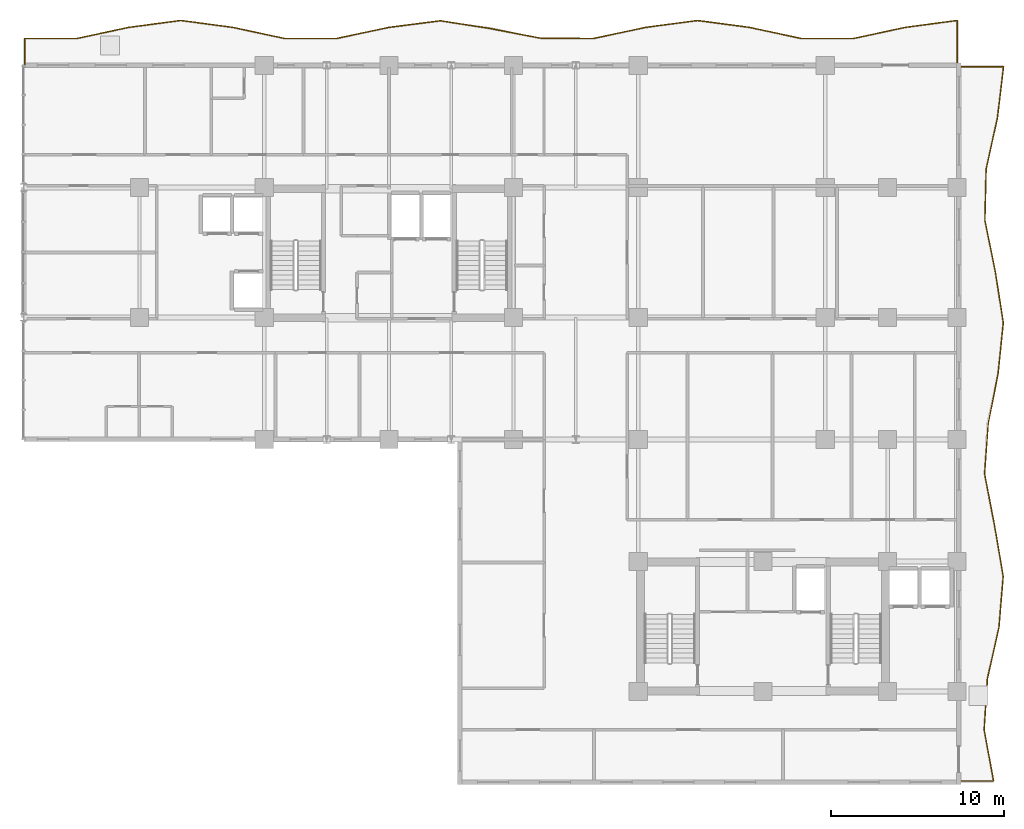
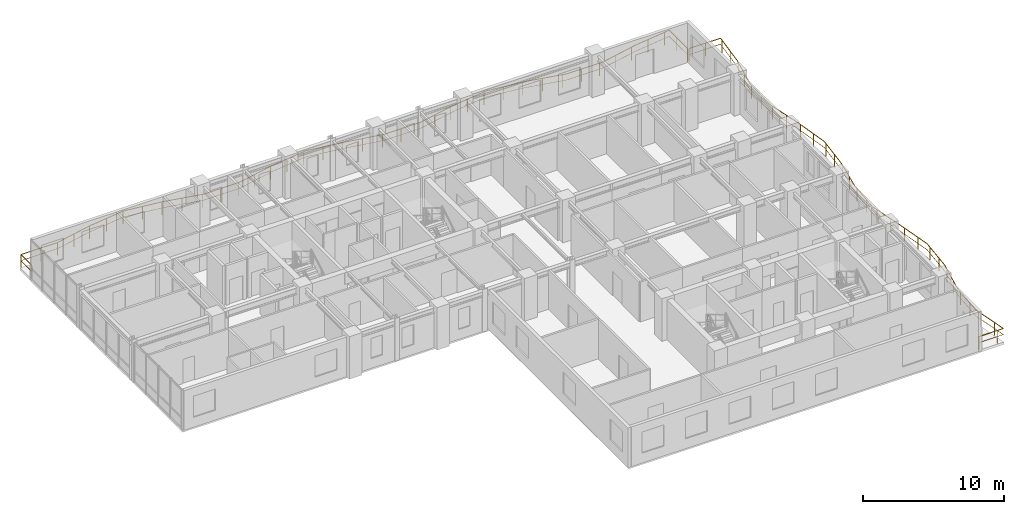
# One storey, part 19 of 19: 2 railings.
"""IFC4 building model written with IfcOpenShell, lengths in metres."""

from ifc_helpers import new_model, si_unit, direction, frame, origin, origin_2d, place, context, subcontext, project, spatial, rectangle, extrude, material, type_object, element, save


model = new_model("IFC4")

# Units and contexts
model_context = context("Model", 3, precision=1e-05, world=origin(), true_north=direction((0.0, 1.0)))
body_context = subcontext(model_context, "Body", "Model", "MODEL_VIEW")
ifc_project = project(units=[si_unit("LENGTHUNIT", "METRE"), si_unit("AREAUNIT", "SQUARE_METRE"), si_unit("VOLUMEUNIT", "CUBIC_METRE"), si_unit("PLANEANGLEUNIT", "RADIAN"), si_unit("MASSUNIT", "GRAM", prefix="KILO")], contexts=[model_context])

# Site, building, storey
site_placement = place(None, origin())
site = spatial("IfcSite", under=ifc_project, at=site_placement, CompositionType="ELEMENT")
building_placement = place(site_placement, origin())
building = spatial("IfcBuilding", under=site, at=building_placement, Name="Kaliganga Portal Commons", CompositionType="ELEMENT")
storey_placement = place(building_placement, frame((0.0, 0.0, 184.60009765625)))
storey = spatial("IfcBuildingStorey", under=building, at=storey_placement, Name="L47", CompositionType="ELEMENT", Elevation=184.60009765625)

# Railings
ifc_material = material(Name="Laminated Safety Glass and Stainless Steel 316", Category="steel")
railing_type = type_object("IfcRailingType", Name="RLG-BAL-1150", PredefinedType="BALUSTRADE", material=ifc_material)
railing_1_placement = place(storey_placement, frame((54.420166015625, 43.205322265625, 0.0)))
element("IfcRailing", 1, at=railing_1_placement, inside=storey, type_object=railing_type, Name="Balcony Guardrail L47 balc_north", PredefinedType="BALUSTRADE", context=body_context, shape_type="SweptSolid", body=[
    extrude(rectangle(XDim=0.048095703125, YDim=0.048095703125, at=origin_2d()), frame((0.0, 0.0, 1.1259765625), z_axis=(-9.4179694e-05, 0.999999995565, 0.0), x_axis=(-0.999999995565, -9.4179694e-05, 0.0)), (0.0, 0.0, 1.0), 2.59228515625),
    extrude(rectangle(XDim=0.028076171875, YDim=0.028076171875, at=origin_2d()), frame((0.0, 0.0, 0.597900390625), z_axis=(-9.4179694e-05, 0.999999995565, 0.0), x_axis=(-0.999999995565, -9.4179694e-05, 0.0)), (0.0, 0.0, 1.0), 2.59228515625),
    extrude(rectangle(XDim=0.048095703125, YDim=0.048095703125, at=origin_2d()), frame((-0.000244140625, 2.59228515625, 1.1259765625), z_axis=(-0.99128487682, -0.131735693672, 0.0), x_axis=(0.131735693672, -0.99128487682, 0.0)), (0.0, 0.0, 1.0), 3.0263671875),
    extrude(rectangle(XDim=0.028076171875, YDim=0.028076171875, at=origin_2d()), frame((-0.000244140625, 2.59228515625, 0.597900390625), z_axis=(-0.99128487682, -0.131735693672, 0.0), x_axis=(0.131735693672, -0.99128487682, 0.0)), (0.0, 0.0, 1.0), 3.0263671875),
    extrude(rectangle(XDim=0.048095703125, YDim=0.048095703125, at=origin_2d()), frame((-3.000244140625, 2.193603515625, 1.1259765625), z_axis=(-0.977690496299, -0.210050692564, 0.0), x_axis=(0.210050692564, -0.977690496299, 0.0)), (0.0, 0.0, 1.0), 3.068359375),
    extrude(rectangle(XDim=0.028076171875, YDim=0.028076171875, at=origin_2d()), frame((-3.000244140625, 2.193603515625, 0.597900390625), z_axis=(-0.977690496299, -0.210050692564, 0.0), x_axis=(0.210050692564, -0.977690496299, 0.0)), (0.0, 0.0, 1.0), 3.068359375),
    extrude(rectangle(XDim=0.048095703125, YDim=0.048095703125, at=origin_2d()), frame((-6.000244140625, 1.549072265625, 1.1259765625), z_axis=(-0.999999996689, 8.1380208e-05, 0.0), x_axis=(-8.1380208e-05, -0.999999996689, 0.0)), (0.0, 0.0, 1.0), 3.0),
    extrude(rectangle(XDim=0.028076171875, YDim=0.028076171875, at=origin_2d()), frame((-6.000244140625, 1.549072265625, 0.597900390625), z_axis=(-0.999999996689, 8.1380208e-05, 0.0), x_axis=(-8.1380208e-05, -0.999999996689, 0.0)), (0.0, 0.0, 1.0), 3.0),
    extrude(rectangle(XDim=0.048095703125, YDim=0.048095703125, at=origin_2d()), frame((-9.000244140625, 1.54931640625, 1.1259765625), z_axis=(-0.977755812374, 0.209746445428, 0.0), x_axis=(-0.209746445428, -0.977755812374, 0.0)), (0.0, 0.0, 1.0), 3.068359375),
    extrude(rectangle(XDim=0.028076171875, YDim=0.028076171875, at=origin_2d()), frame((-9.000244140625, 1.54931640625, 0.597900390625), z_axis=(-0.977755812374, 0.209746445428, 0.0), x_axis=(-0.209746445428, -0.977755812374, 0.0)), (0.0, 0.0, 1.0), 3.068359375),
    extrude(rectangle(XDim=0.048095703125, YDim=0.048095703125, at=origin_2d()), frame((-12.000244140625, 2.19287109375, 1.1259765625), z_axis=(-0.991367571286, 0.131111931581, 0.0), x_axis=(-0.131111931581, -0.991367571286, 0.0)), (0.0, 0.0, 1.0), 3.02587890625),
    extrude(rectangle(XDim=0.028076171875, YDim=0.028076171875, at=origin_2d()), frame((-12.000244140625, 2.19287109375, 0.597900390625), z_axis=(-0.991367571286, 0.131111931581, 0.0), x_axis=(-0.131111931581, -0.991367571286, 0.0)), (0.0, 0.0, 1.0), 3.02587890625),
    extrude(rectangle(XDim=0.048095703125, YDim=0.048095703125, at=origin_2d()), frame((-15.0, 2.589599609375, 1.1259765625), z_axis=(-0.991305933846, -0.131577146655, 0.0), x_axis=(0.131577146655, -0.991305933846, 0.0)), (0.0, 0.0, 1.0), 3.0263671875),
    extrude(rectangle(XDim=0.028076171875, YDim=0.028076171875, at=origin_2d()), frame((-15.0, 2.589599609375, 0.597900390625), z_axis=(-0.991305933846, -0.131577146655, 0.0), x_axis=(0.131577146655, -0.991305933846, 0.0)), (0.0, 0.0, 1.0), 3.0263671875),
    extrude(rectangle(XDim=0.048095703125, YDim=0.048095703125, at=origin_2d()), frame((-18.0, 2.19140625, 1.1259765625), z_axis=(-0.97801621636, -0.208528848215, 0.0), x_axis=(0.208528848215, -0.97801621636, 0.0)), (0.0, 0.0, 1.0), 3.0673828125),
    extrude(rectangle(XDim=0.028076171875, YDim=0.028076171875, at=origin_2d()), frame((-18.0, 2.19140625, 0.597900390625), z_axis=(-0.97801621636, -0.208528848215, 0.0), x_axis=(0.208528848215, -0.97801621636, 0.0)), (0.0, 0.0, 1.0), 3.0673828125),
    extrude(rectangle(XDim=0.048095703125, YDim=0.048095703125, at=origin_2d()), frame((-21.0, 1.5517578125, 1.1259765625), z_axis=(-0.999999350867, 0.001139414903, 0.0), x_axis=(-0.001139414903, -0.999999350867, 0.0)), (0.0, 0.0, 1.0), 2.999755859375),
    extrude(rectangle(XDim=0.028076171875, YDim=0.028076171875, at=origin_2d()), frame((-21.0, 1.5517578125, 0.597900390625), z_axis=(-0.999999350867, 0.001139414903, 0.0), x_axis=(-0.001139414903, -0.999999350867, 0.0)), (0.0, 0.0, 1.0), 2.999755859375),
    extrude(rectangle(XDim=0.048095703125, YDim=0.048095703125, at=origin_2d()), frame((-23.999755859375, 1.55517578125, 1.1259765625), z_axis=(-0.982118711, 0.188262682187, 0.0), x_axis=(-0.188262682187, -0.982118711, 0.0)), (0.0, 0.0, 1.0), 2.9736328125),
    extrude(rectangle(XDim=0.028076171875, YDim=0.028076171875, at=origin_2d()), frame((-23.999755859375, 1.55517578125, 0.597900390625), z_axis=(-0.982118711, 0.188262682187, 0.0), x_axis=(-0.188262682187, -0.982118711, 0.0)), (0.0, 0.0, 1.0), 2.9736328125),
    extrude(rectangle(XDim=0.048095703125, YDim=0.048095703125, at=origin_2d()), frame((-26.920166015625, 2.114990234375, 1.1259765625), z_axis=(-0.987866456564, 0.155305711407, 0.0), x_axis=(-0.155305711407, -0.987866456564, 0.0)), (0.0, 0.0, 1.0), 2.95849609375),
    extrude(rectangle(XDim=0.028076171875, YDim=0.028076171875, at=origin_2d()), frame((-26.920166015625, 2.114990234375, 0.597900390625), z_axis=(-0.987866456564, 0.155305711407, 0.0), x_axis=(-0.155305711407, -0.987866456564, 0.0)), (0.0, 0.0, 1.0), 2.95849609375),
    extrude(rectangle(XDim=0.048095703125, YDim=0.048095703125, at=origin_2d()), frame((-29.8427734375, 2.574462890625, 1.1259765625), z_axis=(-0.991862319476, -0.12731511773, 0.0), x_axis=(0.12731511773, -0.991862319476, 0.0)), (0.0, 0.0, 1.0), 3.022216796875),
    extrude(rectangle(XDim=0.028076171875, YDim=0.028076171875, at=origin_2d()), frame((-29.8427734375, 2.574462890625, 0.597900390625), z_axis=(-0.991862319476, -0.12731511773, 0.0), x_axis=(0.12731511773, -0.991862319476, 0.0)), (0.0, 0.0, 1.0), 3.022216796875),
    extrude(rectangle(XDim=0.048095703125, YDim=0.048095703125, at=origin_2d()), frame((-32.84033203125, 2.189697265625, 1.1259765625), z_axis=(-0.978045213529, -0.208392802883, 0.0), x_axis=(0.208392802883, -0.978045213529, 0.0)), (0.0, 0.0, 1.0), 3.067138671875),
    extrude(rectangle(XDim=0.028076171875, YDim=0.028076171875, at=origin_2d()), frame((-32.84033203125, 2.189697265625, 0.597900390625), z_axis=(-0.978045213529, -0.208392802883, 0.0), x_axis=(0.208392802883, -0.978045213529, 0.0)), (0.0, 0.0, 1.0), 3.067138671875),
    extrude(rectangle(XDim=0.048095703125, YDim=0.048095703125, at=origin_2d()), frame((-35.840087890625, 1.550537109375, 1.1259765625), z_axis=(-0.999999970198, -0.000244140618, 0.0), x_axis=(0.000244140618, -0.999999970198, 0.0)), (0.0, 0.0, 1.0), 3.0),
    extrude(rectangle(XDim=0.028076171875, YDim=0.028076171875, at=origin_2d()), frame((-35.840087890625, 1.550537109375, 0.597900390625), z_axis=(-0.999999970198, -0.000244140618, 0.0), x_axis=(0.000244140618, -0.999999970198, 0.0)), (0.0, 0.0, 1.0), 3.0),
    extrude(rectangle(XDim=0.048095703125, YDim=0.048095703125, at=origin_2d()), frame((-38.840087890625, 1.5498046875, 1.1259765625), z_axis=(-0.977788438173, 0.209594299003, 0.0), x_axis=(-0.209594299003, -0.977788438173, 0.0)), (0.0, 0.0, 1.0), 3.068115234375),
    extrude(rectangle(XDim=0.028076171875, YDim=0.028076171875, at=origin_2d()), frame((-38.840087890625, 1.5498046875, 0.597900390625), z_axis=(-0.977788438173, 0.209594299003, 0.0), x_axis=(-0.209594299003, -0.977788438173, 0.0)), (0.0, 0.0, 1.0), 3.068115234375),
    extrude(rectangle(XDim=0.048095703125, YDim=0.048095703125, at=origin_2d()), frame((-41.840087890625, 2.19287109375, 1.1259765625), z_axis=(-0.991307330328, 0.131566625093, 0.0), x_axis=(-0.131566625093, -0.991307330328, 0.0)), (0.0, 0.0, 1.0), 3.026611328125),
    extrude(rectangle(XDim=0.028076171875, YDim=0.028076171875, at=origin_2d()), frame((-41.840087890625, 2.19287109375, 0.597900390625), z_axis=(-0.991307330328, 0.131566625093, 0.0), x_axis=(-0.131566625093, -0.991307330328, 0.0)), (0.0, 0.0, 1.0), 3.026611328125),
    extrude(rectangle(XDim=0.048095703125, YDim=0.048095703125, at=origin_2d()), frame((-44.84033203125, 2.591064453125, 1.1259765625), z_axis=(-0.991325572924, -0.131429100537, 0.0), x_axis=(0.131429100537, -0.991325572924, 0.0)), (0.0, 0.0, 1.0), 3.026123046875),
    extrude(rectangle(XDim=0.028076171875, YDim=0.028076171875, at=origin_2d()), frame((-44.84033203125, 2.591064453125, 0.597900390625), z_axis=(-0.991325572924, -0.131429100537, 0.0), x_axis=(0.131429100537, -0.991325572924, 0.0)), (0.0, 0.0, 1.0), 3.026123046875),
    extrude(rectangle(XDim=0.048095703125, YDim=0.048095703125, at=origin_2d()), frame((-47.840087890625, 2.193359375, 1.1259765625), z_axis=(-0.977706833375, -0.209974636497, 0.0), x_axis=(0.209974636497, -0.977706833375, 0.0)), (0.0, 0.0, 1.0), 3.068359375),
    extrude(rectangle(XDim=0.028076171875, YDim=0.028076171875, at=origin_2d()), frame((-47.840087890625, 2.193359375, 0.597900390625), z_axis=(-0.977706833375, -0.209974636497, 0.0), x_axis=(0.209974636497, -0.977706833375, 0.0)), (0.0, 0.0, 1.0), 3.068359375),
    extrude(rectangle(XDim=0.048095703125, YDim=0.048095703125, at=origin_2d()), frame((-50.840087890625, 1.549072265625, 1.1259765625), z_axis=(-0.999999996689, -8.1380208e-05, 0.0), x_axis=(8.1380208e-05, -0.999999996689, 0.0)), (0.0, 0.0, 1.0), 3.0),
    extrude(rectangle(XDim=0.028076171875, YDim=0.028076171875, at=origin_2d()), frame((-50.840087890625, 1.549072265625, 0.597900390625), z_axis=(-0.999999996689, -8.1380208e-05, 0.0), x_axis=(8.1380208e-05, -0.999999996689, 0.0)), (0.0, 0.0, 1.0), 3.0),
    extrude(rectangle(XDim=0.048095703125, YDim=0.048095703125, at=origin_2d()), frame((-53.840087890625, 1.548828125, 1.1259765625), z_axis=(-0.000157629254, -0.999999987577, 0.0), x_axis=(0.999999987577, -0.000157629254, 0.0)), (0.0, 0.0, 1.0), 1.548828125),
    extrude(rectangle(XDim=0.028076171875, YDim=0.028076171875, at=origin_2d()), frame((-53.840087890625, 1.548828125, 0.597900390625), z_axis=(-0.000157629254, -0.999999987577, 0.0), x_axis=(0.999999987577, -0.000157629254, 0.0)), (0.0, 0.0, 1.0), 1.548828125),
    extrude(rectangle(XDim=0.0419921875, YDim=0.0419921875, at=origin_2d()), origin(), (0.0, 0.0, 1.0), 1.101806640625),
    extrude(rectangle(XDim=0.0419921875, YDim=0.0419921875, at=origin_2d()), frame((-0.000244140625, 1.5, 0.0)), (0.0, 0.0, 1.0), 1.101806640625),
    extrude(rectangle(XDim=0.0419921875, YDim=0.0419921875, at=origin_2d()), frame((-0.404296875, 2.53857421875, 0.0)), (0.0, 0.0, 1.0), 1.101806640625),
    extrude(rectangle(XDim=0.0419921875, YDim=0.0419921875, at=origin_2d()), frame((-1.891357421875, 2.341064453125, 0.0)), (0.0, 0.0, 1.0), 1.101806640625),
    extrude(rectangle(XDim=0.0419921875, YDim=0.0419921875, at=origin_2d()), frame((-3.373046875, 2.113525390625, 0.0)), (0.0, 0.0, 1.0), 1.101806640625),
    extrude(rectangle(XDim=0.0419921875, YDim=0.0419921875, at=origin_2d()), frame((-4.839599609375, 1.79833984375, 0.0)), (0.0, 0.0, 1.0), 1.101806640625),
    extrude(rectangle(XDim=0.0419921875, YDim=0.0419921875, at=origin_2d()), frame((-6.313232421875, 1.549072265625, 0.0)), (0.0, 0.0, 1.0), 1.101806640625),
    extrude(rectangle(XDim=0.0419921875, YDim=0.0419921875, at=origin_2d()), frame((-7.813232421875, 1.54931640625, 0.0)), (0.0, 0.0, 1.0), 1.101806640625),
    extrude(rectangle(XDim=0.0419921875, YDim=0.0419921875, at=origin_2d()), frame((-9.30615234375, 1.614990234375, 0.0)), (0.0, 0.0, 1.0), 1.101806640625),
    extrude(rectangle(XDim=0.0419921875, YDim=0.0419921875, at=origin_2d()), frame((-10.772705078125, 1.929443359375, 0.0)), (0.0, 0.0, 1.0), 1.101806640625),
    extrude(rectangle(XDim=0.0419921875, YDim=0.0419921875, at=origin_2d()), frame((-12.24267578125, 2.224853515625, 0.0)), (0.0, 0.0, 1.0), 1.101806640625),
    extrude(rectangle(XDim=0.0419921875, YDim=0.0419921875, at=origin_2d()), frame((-13.729736328125, 2.421630859375, 0.0)), (0.0, 0.0, 1.0), 1.101806640625),
    extrude(rectangle(XDim=0.0419921875, YDim=0.0419921875, at=origin_2d()), frame((-15.216796875, 2.560791015625, 0.0)), (0.0, 0.0, 1.0), 1.101806640625),
    extrude(rectangle(XDim=0.0419921875, YDim=0.0419921875, at=origin_2d()), frame((-16.703857421875, 2.363525390625, 0.0)), (0.0, 0.0, 1.0), 1.101806640625),
    extrude(rectangle(XDim=0.0419921875, YDim=0.0419921875, at=origin_2d()), frame((-18.188232421875, 2.1513671875, 0.0)), (0.0, 0.0, 1.0), 1.101806640625),
    extrude(rectangle(XDim=0.0419921875, YDim=0.0419921875, at=origin_2d()), frame((-19.6552734375, 1.83837890625, 0.0)), (0.0, 0.0, 1.0), 1.101806640625),
    extrude(rectangle(XDim=0.0419921875, YDim=0.0419921875, at=origin_2d()), frame((-21.125, 1.552001953125, 0.0)), (0.0, 0.0, 1.0), 1.101806640625),
    extrude(rectangle(XDim=0.0419921875, YDim=0.0419921875, at=origin_2d()), frame((-22.625, 1.5537109375, 0.0)), (0.0, 0.0, 1.0), 1.101806640625),
    extrude(rectangle(XDim=0.0419921875, YDim=0.0419921875, at=origin_2d()), frame((-24.122802734375, 1.578857421875, 0.0)), (0.0, 0.0, 1.0), 1.101806640625),
    extrude(rectangle(XDim=0.0419921875, YDim=0.0419921875, at=origin_2d()), frame((-25.595947265625, 1.861083984375, 0.0)), (0.0, 0.0, 1.0), 1.101806640625),
    extrude(rectangle(XDim=0.0419921875, YDim=0.0419921875, at=origin_2d()), frame((-27.070068359375, 2.138427734375, 0.0)), (0.0, 0.0, 1.0), 1.101806640625),
    extrude(rectangle(XDim=0.0419921875, YDim=0.0419921875, at=origin_2d()), frame((-28.5517578125, 2.37158203125, 0.0)), (0.0, 0.0, 1.0), 1.101806640625),
    extrude(rectangle(XDim=0.0419921875, YDim=0.0419921875, at=origin_2d()), frame((-30.034423828125, 2.5498046875, 0.0)), (0.0, 0.0, 1.0), 1.101806640625),
    extrude(rectangle(XDim=0.0419921875, YDim=0.0419921875, at=origin_2d()), frame((-31.522216796875, 2.35888671875, 0.0)), (0.0, 0.0, 1.0), 1.101806640625),
    extrude(rectangle(XDim=0.0419921875, YDim=0.0419921875, at=origin_2d()), frame((-33.007568359375, 2.154052734375, 0.0)), (0.0, 0.0, 1.0), 1.101806640625),
    extrude(rectangle(XDim=0.0419921875, YDim=0.0419921875, at=origin_2d()), frame((-34.474609375, 1.841552734375, 0.0)), (0.0, 0.0, 1.0), 1.101806640625),
    extrude(rectangle(XDim=0.0419921875, YDim=0.0419921875, at=origin_2d()), frame((-35.944091796875, 1.550537109375, 0.0)), (0.0, 0.0, 1.0), 1.101806640625),
    extrude(rectangle(XDim=0.0419921875, YDim=0.0419921875, at=origin_2d()), frame((-37.444091796875, 1.550048828125, 0.0)), (0.0, 0.0, 1.0), 1.101806640625),
    extrude(rectangle(XDim=0.0419921875, YDim=0.0419921875, at=origin_2d()), frame((-38.941650390625, 1.571533203125, 0.0)), (0.0, 0.0, 1.0), 1.101806640625),
    extrude(rectangle(XDim=0.0419921875, YDim=0.0419921875, at=origin_2d()), frame((-40.408447265625, 1.885986328125, 0.0)), (0.0, 0.0, 1.0), 1.101806640625),
    extrude(rectangle(XDim=0.0419921875, YDim=0.0419921875, at=origin_2d()), frame((-41.87548828125, 2.197509765625, 0.0)), (0.0, 0.0, 1.0), 1.101806640625),
    extrude(rectangle(XDim=0.0419921875, YDim=0.0419921875, at=origin_2d()), frame((-43.362548828125, 2.39501953125, 0.0)), (0.0, 0.0, 1.0), 1.101806640625),
    extrude(rectangle(XDim=0.0419921875, YDim=0.0419921875, at=origin_2d()), frame((-44.849365234375, 2.58984375, 0.0)), (0.0, 0.0, 1.0), 1.101806640625),
    extrude(rectangle(XDim=0.0419921875, YDim=0.0419921875, at=origin_2d()), frame((-46.33642578125, 2.392822265625, 0.0)), (0.0, 0.0, 1.0), 1.101806640625),
    extrude(rectangle(XDim=0.0419921875, YDim=0.0419921875, at=origin_2d()), frame((-47.840087890625, 2.193359375, 0.0)), (0.0, 0.0, 1.0), 1.101806640625),
    extrude(rectangle(XDim=0.0419921875, YDim=0.0419921875, at=origin_2d()), frame((-49.290283203125, 1.8818359375, 0.0)), (0.0, 0.0, 1.0), 1.101806640625),
    extrude(rectangle(XDim=0.0419921875, YDim=0.0419921875, at=origin_2d()), frame((-50.840087890625, 1.549072265625, 0.0)), (0.0, 0.0, 1.0), 1.101806640625),
    extrude(rectangle(XDim=0.0419921875, YDim=0.0419921875, at=origin_2d()), frame((-52.2548828125, 1.549072265625, 0.0)), (0.0, 0.0, 1.0), 1.101806640625),
    extrude(rectangle(XDim=0.0419921875, YDim=0.0419921875, at=origin_2d()), frame((-53.840087890625, 1.548828125, 0.0)), (0.0, 0.0, 1.0), 1.101806640625),
    extrude(rectangle(XDim=0.0419921875, YDim=0.0419921875, at=origin_2d()), frame((-53.84033203125, 0.0, 0.0)), (0.0, 0.0, 1.0), 1.101806640625),
])
railing_2_placement = place(storey_placement, frame((54.5068359375, 1.879638671875, 0.0)))
element("IfcRailing", 2, at=railing_2_placement, inside=storey, type_object=railing_type, Name="Balcony Guardrail L47 balc_east", PredefinedType="BALUSTRADE", context=body_context, shape_type="SweptSolid", body=[
    extrude(rectangle(XDim=0.048095703125, YDim=0.048095703125, at=origin_2d()), frame((0.0, 0.0, 1.1259765625), z_axis=(0.99999999265, 0.000121241512, 0.0), x_axis=(-0.000121241512, 0.99999999265, 0.0)), (0.0, 0.0, 1.0), 2.013671875),
    extrude(rectangle(XDim=0.028076171875, YDim=0.028076171875, at=origin_2d()), frame((0.0, 0.0, 0.597900390625), z_axis=(0.99999999265, 0.000121241512, 0.0), x_axis=(-0.000121241512, 0.99999999265, 0.0)), (0.0, 0.0, 1.0), 2.013671875),
    extrude(rectangle(XDim=0.048095703125, YDim=0.048095703125, at=origin_2d()), frame((2.013671875, 0.000244140625, 1.1259765625), z_axis=(-0.181135565371, 0.983458136861, 0.0), x_axis=(-0.983458136861, -0.181135565371, 0.0)), (0.0, 0.0, 1.0), 3.007080078125),
    extrude(rectangle(XDim=0.028076171875, YDim=0.028076171875, at=origin_2d()), frame((2.013671875, 0.000244140625, 0.597900390625), z_axis=(-0.181135565371, 0.983458136861, 0.0), x_axis=(-0.983458136861, -0.181135565371, 0.0)), (0.0, 0.0, 1.0), 3.007080078125),
    extrude(rectangle(XDim=0.048095703125, YDim=0.048095703125, at=origin_2d()), frame((1.468994140625, 2.95751953125, 1.1259765625), z_axis=(0.063937601147, 0.997953898314, 0.0), x_axis=(-0.997953898314, 0.063937601147, 0.0)), (0.0, 0.0, 1.0), 2.963134765625),
    extrude(rectangle(XDim=0.028076171875, YDim=0.028076171875, at=origin_2d()), frame((1.468994140625, 2.95751953125, 0.597900390625), z_axis=(0.063937601147, 0.997953898314, 0.0), x_axis=(-0.997953898314, 0.063937601147, 0.0)), (0.0, 0.0, 1.0), 2.963134765625),
    extrude(rectangle(XDim=0.048095703125, YDim=0.048095703125, at=origin_2d()), frame((1.658447265625, 5.91455078125, 1.1259765625), z_axis=(0.219956799451, 0.975509613676, 0.0), x_axis=(-0.975509613676, 0.219956799451, 0.0)), (0.0, 0.0, 1.0), 3.03125),
    extrude(rectangle(XDim=0.028076171875, YDim=0.028076171875, at=origin_2d()), frame((1.658447265625, 5.91455078125, 0.597900390625), z_axis=(0.219956799451, 0.975509613676, 0.0), x_axis=(-0.975509613676, 0.219956799451, 0.0)), (0.0, 0.0, 1.0), 3.03125),
    extrude(rectangle(XDim=0.048095703125, YDim=0.048095703125, at=origin_2d()), frame((2.3251953125, 8.87158203125, 1.1259765625), z_axis=(0.082201052772, 0.996615766945, 0.0), x_axis=(-0.996615766945, 0.082201052772, 0.0)), (0.0, 0.0, 1.0), 2.967041015625),
    extrude(rectangle(XDim=0.028076171875, YDim=0.028076171875, at=origin_2d()), frame((2.3251953125, 8.87158203125, 0.597900390625), z_axis=(0.082201052772, 0.996615766945, 0.0), x_axis=(-0.996615766945, 0.082201052772, 0.0)), (0.0, 0.0, 1.0), 2.967041015625),
    extrude(rectangle(XDim=0.048095703125, YDim=0.048095703125, at=origin_2d()), frame((2.569091796875, 11.82861328125, 1.1259765625), z_axis=(-0.168844113176, 0.985642767663, 0.0), x_axis=(-0.985642767663, -0.168844113176, 0.0)), (0.0, 0.0, 1.0), 3.000244140625),
    extrude(rectangle(XDim=0.028076171875, YDim=0.028076171875, at=origin_2d()), frame((2.569091796875, 11.82861328125, 0.597900390625), z_axis=(-0.168844113176, 0.985642767663, 0.0), x_axis=(-0.985642767663, -0.168844113176, 0.0)), (0.0, 0.0, 1.0), 3.000244140625),
    extrude(rectangle(XDim=0.048095703125, YDim=0.048095703125, at=origin_2d()), frame((2.0625, 14.785888671875, 1.1259765625), z_axis=(-0.188672970533, 0.982039973825, 0.0), x_axis=(-0.982039973825, -0.188672970533, 0.0)), (0.0, 0.0, 1.0), 3.01123046875),
    extrude(rectangle(XDim=0.028076171875, YDim=0.028076171875, at=origin_2d()), frame((2.0625, 14.785888671875, 0.597900390625), z_axis=(-0.188672970533, 0.982039973825, 0.0), x_axis=(-0.982039973825, -0.188672970533, 0.0)), (0.0, 0.0, 1.0), 3.01123046875),
    extrude(rectangle(XDim=0.048095703125, YDim=0.048095703125, at=origin_2d()), frame((1.494384765625, 17.742919921875, 1.1259765625), z_axis=(0.070753845407, 0.997493806176, 0.0), x_axis=(-0.997493806176, 0.070753845407, 0.0)), (0.0, 0.0, 1.0), 2.884765625),
    extrude(rectangle(XDim=0.028076171875, YDim=0.028076171875, at=origin_2d()), frame((1.494384765625, 17.742919921875, 0.597900390625), z_axis=(0.070753845407, 0.997493806176, 0.0), x_axis=(-0.997493806176, 0.070753845407, 0.0)), (0.0, 0.0, 1.0), 2.884765625),
    extrude(rectangle(XDim=0.048095703125, YDim=0.048095703125, at=origin_2d()), frame((1.698486328125, 20.620361328125, 1.1259765625), z_axis=(0.194916120542, 0.980819915149, 0.0), x_axis=(-0.980819915149, 0.194916120542, 0.0)), (0.0, 0.0, 1.0), 2.934814453125),
    extrude(rectangle(XDim=0.028076171875, YDim=0.028076171875, at=origin_2d()), frame((1.698486328125, 20.620361328125, 0.597900390625), z_axis=(0.194916120542, 0.980819915149, 0.0), x_axis=(-0.980819915149, 0.194916120542, 0.0)), (0.0, 0.0, 1.0), 2.934814453125),
    extrude(rectangle(XDim=0.048095703125, YDim=0.048095703125, at=origin_2d()), frame((2.2705078125, 23.498779296875, 1.1259765625), z_axis=(0.102674954688, 0.994714961021, 0.0), x_axis=(-0.994714961021, 0.102674954688, 0.0)), (0.0, 0.0, 1.0), 2.97216796875),
    extrude(rectangle(XDim=0.028076171875, YDim=0.028076171875, at=origin_2d()), frame((2.2705078125, 23.498779296875, 0.597900390625), z_axis=(0.102674954688, 0.994714961021, 0.0), x_axis=(-0.994714961021, 0.102674954688, 0.0)), (0.0, 0.0, 1.0), 2.97216796875),
    extrude(rectangle(XDim=0.048095703125, YDim=0.048095703125, at=origin_2d()), frame((2.57568359375, 26.455322265625, 1.1259765625), z_axis=(-0.154043352723, 0.988064089764, 0.0), x_axis=(-0.988064089764, -0.154043352723, 0.0)), (0.0, 0.0, 1.0), 2.9921875),
    extrude(rectangle(XDim=0.028076171875, YDim=0.028076171875, at=origin_2d()), frame((2.57568359375, 26.455322265625, 0.597900390625), z_axis=(-0.154043352723, 0.988064089764, 0.0), x_axis=(-0.988064089764, -0.154043352723, 0.0)), (0.0, 0.0, 1.0), 2.9921875),
    extrude(rectangle(XDim=0.048095703125, YDim=0.048095703125, at=origin_2d()), frame((2.11474609375, 29.411865234375, 1.1259765625), z_axis=(-0.199739693761, 0.979848995885, 0.0), x_axis=(-0.979848995885, -0.199739693761, 0.0)), (0.0, 0.0, 1.0), 3.017822265625),
    extrude(rectangle(XDim=0.028076171875, YDim=0.028076171875, at=origin_2d()), frame((2.11474609375, 29.411865234375, 0.597900390625), z_axis=(-0.199739693761, 0.979848995885, 0.0), x_axis=(-0.979848995885, -0.199739693761, 0.0)), (0.0, 0.0, 1.0), 3.017822265625),
    extrude(rectangle(XDim=0.048095703125, YDim=0.048095703125, at=origin_2d()), frame((1.511962890625, 32.368896484375, 1.1259765625), z_axis=(0.024099330813, 0.999709568952, 0.0), x_axis=(-0.999709568952, 0.024099330813, 0.0)), (0.0, 0.0, 1.0), 2.958251953125),
    extrude(rectangle(XDim=0.028076171875, YDim=0.028076171875, at=origin_2d()), frame((1.511962890625, 32.368896484375, 0.597900390625), z_axis=(0.024099330813, 0.999709568952, 0.0), x_axis=(-0.999709568952, 0.024099330813, 0.0)), (0.0, 0.0, 1.0), 2.958251953125),
    extrude(rectangle(XDim=0.048095703125, YDim=0.048095703125, at=origin_2d()), frame((1.583251953125, 35.326171875, 1.1259765625), z_axis=(0.215273973081, 0.976553693615, 0.0), x_axis=(-0.976553693615, 0.215273973081, 0.0)), (0.0, 0.0, 1.0), 3.028076171875),
    extrude(rectangle(XDim=0.028076171875, YDim=0.028076171875, at=origin_2d()), frame((1.583251953125, 35.326171875, 0.597900390625), z_axis=(0.215273973081, 0.976553693615, 0.0), x_axis=(-0.976553693615, 0.215273973081, 0.0)), (0.0, 0.0, 1.0), 3.028076171875),
    extrude(rectangle(XDim=0.048095703125, YDim=0.048095703125, at=origin_2d()), frame((2.235107421875, 38.283203125, 1.1259765625), z_axis=(0.118776728463, 0.992920988184, 0.0), x_axis=(-0.992920988184, 0.118776728463, 0.0)), (0.0, 0.0, 1.0), 2.978271484375),
    extrude(rectangle(XDim=0.028076171875, YDim=0.028076171875, at=origin_2d()), frame((2.235107421875, 38.283203125, 0.597900390625), z_axis=(0.118776728463, 0.992920988184, 0.0), x_axis=(-0.992920988184, 0.118776728463, 0.0)), (0.0, 0.0, 1.0), 2.978271484375),
    extrude(rectangle(XDim=0.048095703125, YDim=0.048095703125, at=origin_2d()), frame((2.5888671875, 41.240478515625, 1.1259765625), z_axis=(-0.999999995553, 9.4304036e-05, 0.0), x_axis=(-9.4304036e-05, -0.999999995553, 0.0)), (0.0, 0.0, 1.0), 2.5888671875),
    extrude(rectangle(XDim=0.028076171875, YDim=0.028076171875, at=origin_2d()), frame((2.5888671875, 41.240478515625, 0.597900390625), z_axis=(-0.999999995553, 9.4304036e-05, 0.0), x_axis=(-9.4304036e-05, -0.999999995553, 0.0)), (0.0, 0.0, 1.0), 2.5888671875),
    extrude(rectangle(XDim=0.0419921875, YDim=0.0419921875, at=origin_2d()), origin(), (0.0, 0.0, 1.0), 1.101806640625),
    extrude(rectangle(XDim=0.0419921875, YDim=0.0419921875, at=origin_2d()), frame((1.5, 0.000244140625, 0.0)), (0.0, 0.0, 1.0), 1.101806640625),
    extrude(rectangle(XDim=0.0419921875, YDim=0.0419921875, at=origin_2d()), frame((1.8349609375, 0.97021484375, 0.0)), (0.0, 0.0, 1.0), 1.101806640625),
    extrude(rectangle(XDim=0.0419921875, YDim=0.0419921875, at=origin_2d()), frame((1.563232421875, 2.445556640625, 0.0)), (0.0, 0.0, 1.0), 1.101806640625),
    extrude(rectangle(XDim=0.0419921875, YDim=0.0419921875, at=origin_2d()), frame((1.531494140625, 3.934814453125, 0.0)), (0.0, 0.0, 1.0), 1.101806640625),
    extrude(rectangle(XDim=0.0419921875, YDim=0.0419921875, at=origin_2d()), frame((1.62744140625, 5.431640625, 0.0)), (0.0, 0.0, 1.0), 1.101806640625),
    extrude(rectangle(XDim=0.0419921875, YDim=0.0419921875, at=origin_2d()), frame((1.882080078125, 6.90576171875, 0.0)), (0.0, 0.0, 1.0), 1.101806640625),
    extrude(rectangle(XDim=0.0419921875, YDim=0.0419921875, at=origin_2d()), frame((2.2119140625, 8.369140625, 0.0)), (0.0, 0.0, 1.0), 1.101806640625),
    extrude(rectangle(XDim=0.0419921875, YDim=0.0419921875, at=origin_2d()), frame((2.40625, 9.853271484375, 0.0)), (0.0, 0.0, 1.0), 1.101806640625),
    extrude(rectangle(XDim=0.0419921875, YDim=0.0419921875, at=origin_2d()), frame((2.529541015625, 11.34814453125, 0.0)), (0.0, 0.0, 1.0), 1.101806640625),
    extrude(rectangle(XDim=0.0419921875, YDim=0.0419921875, at=origin_2d()), frame((2.397216796875, 12.831787109375, 0.0)), (0.0, 0.0, 1.0), 1.101806640625),
    extrude(rectangle(XDim=0.0419921875, YDim=0.0419921875, at=origin_2d()), frame((2.14404296875, 14.310302734375, 0.0)), (0.0, 0.0, 1.0), 1.101806640625),
    extrude(rectangle(XDim=0.0419921875, YDim=0.0419921875, at=origin_2d()), frame((1.87060546875, 15.78515625, 0.0)), (0.0, 0.0, 1.0), 1.101806640625),
    extrude(rectangle(XDim=0.0419921875, YDim=0.0419921875, at=origin_2d()), frame((1.58740234375, 17.25830078125, 0.0)), (0.0, 0.0, 1.0), 1.101806640625),
    extrude(rectangle(XDim=0.0419921875, YDim=0.0419921875, at=origin_2d()), frame((1.565673828125, 18.746826171875, 0.0)), (0.0, 0.0, 1.0), 1.101806640625),
    extrude(rectangle(XDim=0.0419921875, YDim=0.0419921875, at=origin_2d()), frame((1.671630859375, 20.2431640625, 0.0)), (0.0, 0.0, 1.0), 1.101806640625),
    extrude(rectangle(XDim=0.0419921875, YDim=0.0419921875, at=origin_2d()), frame((1.917236328125, 21.720703125, 0.0)), (0.0, 0.0, 1.0), 1.101806640625),
    extrude(rectangle(XDim=0.0419921875, YDim=0.0419921875, at=origin_2d()), frame((2.20947265625, 23.19189453125, 0.0)), (0.0, 0.0, 1.0), 1.101806640625),
    extrude(rectangle(XDim=0.0419921875, YDim=0.0419921875, at=origin_2d()), frame((2.392333984375, 24.679443359375, 0.0)), (0.0, 0.0, 1.0), 1.101806640625),
    extrude(rectangle(XDim=0.0419921875, YDim=0.0419921875, at=origin_2d()), frame((2.54638671875, 26.171630859375, 0.0)), (0.0, 0.0, 1.0), 1.101806640625),
    extrude(rectangle(XDim=0.0419921875, YDim=0.0419921875, at=origin_2d()), frame((2.388671875, 27.655517578125, 0.0)), (0.0, 0.0, 1.0), 1.101806640625),
    extrude(rectangle(XDim=0.0419921875, YDim=0.0419921875, at=origin_2d()), frame((2.157470703125, 29.1376953125, 0.0)), (0.0, 0.0, 1.0), 1.101806640625),
    extrude(rectangle(XDim=0.0419921875, YDim=0.0419921875, at=origin_2d()), frame((1.87060546875, 30.60986328125, 0.0)), (0.0, 0.0, 1.0), 1.101806640625),
    extrude(rectangle(XDim=0.0419921875, YDim=0.0419921875, at=origin_2d()), frame((1.571044921875, 32.07958984375, 0.0)), (0.0, 0.0, 1.0), 1.101806640625),
    extrude(rectangle(XDim=0.0419921875, YDim=0.0419921875, at=origin_2d()), frame((1.541015625, 33.5732421875, 0.0)), (0.0, 0.0, 1.0), 1.101806640625),
    extrude(rectangle(XDim=0.0419921875, YDim=0.0419921875, at=origin_2d()), frame((1.5771484375, 35.07275390625, 0.0)), (0.0, 0.0, 1.0), 1.101806640625),
    extrude(rectangle(XDim=0.0419921875, YDim=0.0419921875, at=origin_2d()), frame((1.8515625, 36.54345703125, 0.0)), (0.0, 0.0, 1.0), 1.101806640625),
    extrude(rectangle(XDim=0.0419921875, YDim=0.0419921875, at=origin_2d()), frame((2.174560546875, 38.00830078125, 0.0)), (0.0, 0.0, 1.0), 1.101806640625),
    extrude(rectangle(XDim=0.0419921875, YDim=0.0419921875, at=origin_2d()), frame((2.3798828125, 39.4931640625, 0.0)), (0.0, 0.0, 1.0), 1.101806640625),
    extrude(rectangle(XDim=0.0419921875, YDim=0.0419921875, at=origin_2d()), frame((2.55810546875, 40.982421875, 0.0)), (0.0, 0.0, 1.0), 1.101806640625),
    extrude(rectangle(XDim=0.0419921875, YDim=0.0419921875, at=origin_2d()), frame((1.3486328125, 41.240478515625, 0.0)), (0.0, 0.0, 1.0), 1.101806640625),
    extrude(rectangle(XDim=0.0419921875, YDim=0.0419921875, at=origin_2d()), frame((0.0, 41.24072265625, 0.0)), (0.0, 0.0, 1.0), 1.101806640625),
])

save(model, "model.ifc")
